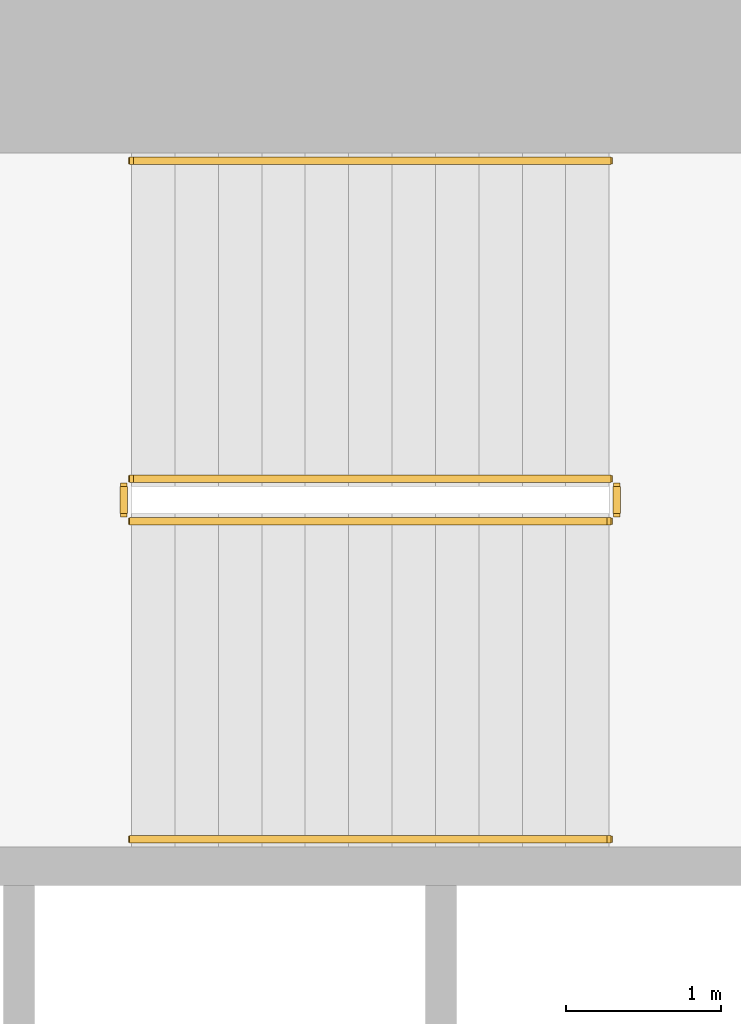
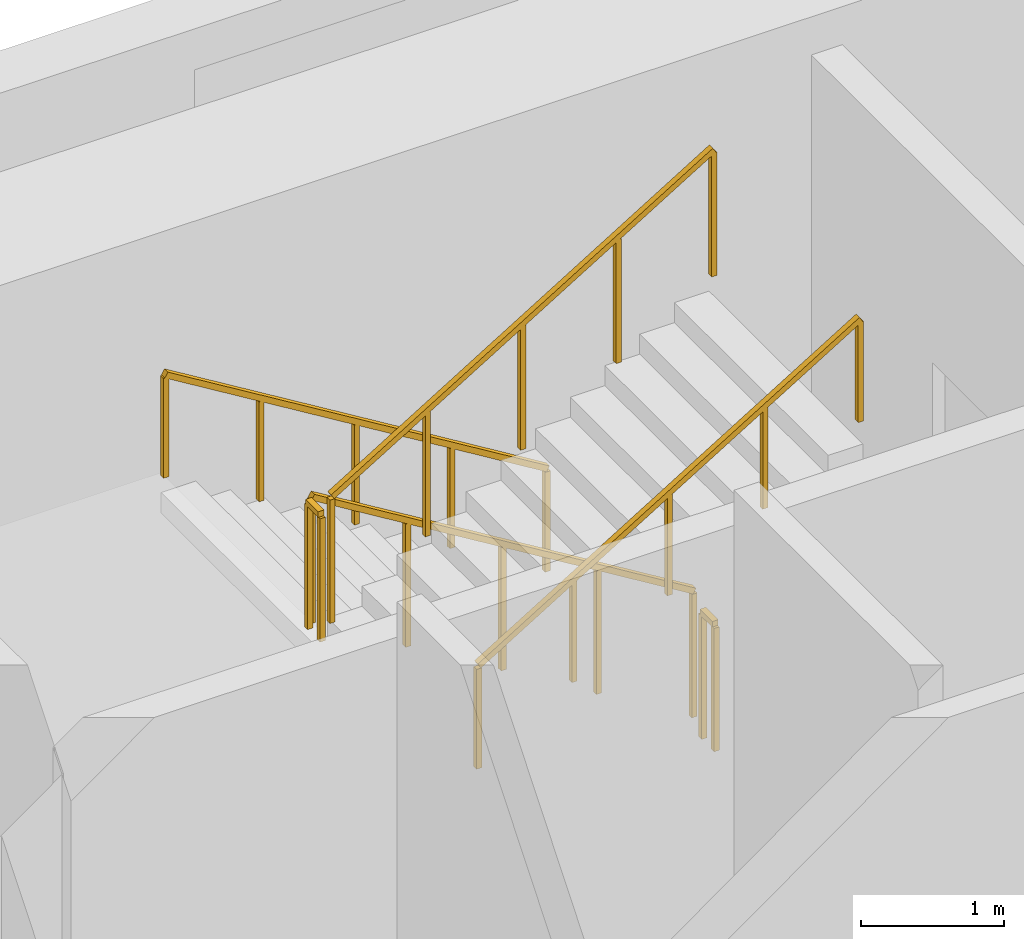
# One storey, part 14 of 15: 6 railings.
"""IFC4 building model written with IfcOpenShell, lengths in metres."""

import ifcopenshell
import ifcopenshell.guid

model = None  # the IFC model being written
_history = None  # IfcOwnerHistory: only IFC2X3 demands one
_inside = {}  # id of a spatial element -> (the spatial element, [elements in it])
_under = {}  # id of a project, library or spatial element -> (it, [spatial elements below it])
_declared = {}  # id of a project -> (the project, [libraries it declares])
_typed = {}  # id of a type object -> (the type object, [elements of that type])
_made_of = {}  # id of a material, layer set ... -> (it, [elements and type objects made of it])


def new_model(schema):
    """Start an empty IFC model of exactly this schema.

    Asked for "IFC4X3", IfcOpenShell would pick the latest addendum, in which some entities
    have other attributes; the version numbers below select the first issue.
    IFC2X3 requires an IfcOwnerHistory on every rooted entity: one is made here for all.
    """
    global model, _history
    if schema == "IFC4X3":
        model = ifcopenshell.file(schema_version=(4, 3, 0, 0))
    else:
        model = ifcopenshell.file(schema=schema)
    _inside.clear()
    _under.clear()
    _declared.clear()
    _typed.clear()
    _made_of.clear()
    _history = None
    if model.schema == "IFC2X3":
        org = make("IfcOrganization", Name="unknown")
        user = make(
            "IfcPersonAndOrganization",
            ThePerson=make("IfcPerson", FamilyName="unknown"),
            TheOrganization=org,
        )
        app = make(
            "IfcApplication",
            ApplicationDeveloper=org,
            Version="unknown",
            ApplicationFullName="unknown",
            ApplicationIdentifier="unknown",
        )
        _history = make(
            "IfcOwnerHistory",
            OwningUser=user,
            OwningApplication=app,
            ChangeAction="ADDED",
            CreationDate=0,
        )
    return model


def make(cls, **values):
    """One entity of the class cls with the attributes given. An attribute that is None is left unset."""
    return model.create_entity(
        cls, **{name: value for name, value in values.items() if value is not None}
    )


def rooted(cls, **values):
    """An entity with a GlobalId (a new one), such as an element, a storey or a relation."""
    return make(cls, GlobalId=ifcopenshell.guid.new(), OwnerHistory=_history, **values)


def si_unit(unit_type, name, prefix=None):
    """IfcSIUnit, for example si_unit("LENGTHUNIT", "METRE", prefix="MILLI")."""
    return make("IfcSIUnit", UnitType=unit_type, Prefix=prefix, Name=name)


def assignment(units):
    """IfcUnitAssignment: the units of a project."""
    return None if units is None else make("IfcUnitAssignment", Units=units)


def point(xyz):
    """IfcCartesianPoint."""
    return None if xyz is None else make("IfcCartesianPoint", Coordinates=xyz)


def direction(xyz):
    """IfcDirection."""
    return None if xyz is None else make("IfcDirection", DirectionRatios=xyz)


def frame(location, z_axis=None, x_axis=None):
    """IfcAxis2Placement3D, a coordinate frame: its origin and axes. An axis left out is left unset."""
    return make(
        "IfcAxis2Placement3D",
        Location=point(location),
        Axis=direction(z_axis),
        RefDirection=direction(x_axis),
    )


def frame_2d(location, x_axis=None):
    """IfcAxis2Placement2D, a coordinate frame in the plane: its origin and x axis."""
    return make(
        "IfcAxis2Placement2D", Location=point(location), RefDirection=direction(x_axis)
    )


def origin():
    """The frame at (0, 0, 0) with its axes left unset."""
    return frame((0.0, 0.0, 0.0))


def origin_2d():
    """The frame at (0, 0) in the plane with its x axis left unset."""
    return frame_2d((0.0, 0.0))


def place(relative_to, where):
    """IfcLocalPlacement: puts the frame where relative to a parent placement (None: the world)."""
    return make(
        "IfcLocalPlacement", PlacementRelTo=relative_to, RelativePlacement=where
    )


def context(
    kind, dimensions, precision=None, world=None, true_north=None, identifier=None
):
    """IfcGeometricRepresentationContext, for example the 3D "Model" context."""
    return make(
        "IfcGeometricRepresentationContext",
        ContextIdentifier=identifier,
        ContextType=kind,
        CoordinateSpaceDimension=dimensions,
        Precision=precision,
        WorldCoordinateSystem=world,
        TrueNorth=true_north,
    )


def subcontext(parent, identifier, kind, view, scale=None):
    """IfcGeometricRepresentationSubContext, for example "Body" below "Model"."""
    return make(
        "IfcGeometricRepresentationSubContext",
        ContextIdentifier=identifier,
        ContextType=kind,
        ParentContext=parent,
        TargetScale=scale,
        TargetView=view,
    )


def project(units=None, contexts=None):
    """IfcProject with its units and contexts."""
    return rooted(
        "IfcProject",
        Name="project",
        RepresentationContexts=contexts,
        UnitsInContext=assignment(units),
    )


def spatial(cls, under=None, at=None, **own):
    """A site, building, storey or space (cls), placed at a placement, below another one or the project."""
    s = rooted(cls, ObjectPlacement=at, **own)
    if under is not None:
        _under.setdefault(under.id(), (under, []))[1].append(s)
    return s


def profile(cls, at=None, kind="AREA", **sizes):
    """A parametric profile (cls). Its sizes go by their IFC names, for example OverallWidth=200.0."""
    return make(cls, ProfileType=kind, Position=at, **sizes)


def rectangle(**sizes):
    """IfcRectangleProfileDef."""
    return profile("IfcRectangleProfileDef", **sizes)


def extrude(swept, where, along, depth):
    """IfcExtrudedAreaSolid: the profile swept, set in the frame where, extruded along a direction by depth."""
    return make(
        "IfcExtrudedAreaSolid",
        SweptArea=swept,
        Position=where,
        ExtrudedDirection=direction(along),
        Depth=depth,
    )


def shape(context_of_items, identifier, shape_type, items):
    """IfcShapeRepresentation: the items that make up one representation, for example the "Body"."""
    return make(
        "IfcShapeRepresentation",
        ContextOfItems=context_of_items,
        RepresentationIdentifier=identifier,
        RepresentationType=shape_type,
        Items=items,
    )


def material(Name=None, Category=None):
    """IfcMaterial."""
    return make("IfcMaterial", Name=Name, Category=Category)


def made_of(thing, what):
    """Note that an element or type object is made of a material, layer set ...; save() writes the relation."""
    if what is not None:
        _made_of.setdefault(what.id(), (what, []))[1].append(thing)
    return thing


def type_object(cls, material=None, **own):
    """A type object (cls), such as IfcWallType, which elements share."""
    return made_of(rooted(cls, **own), material)


def element(
    cls,
    number,
    at=None,
    inside=None,
    cuts=None,
    type_object=None,
    material=None,
    context=None,
    identifier="Body",
    shape_type=None,
    held_by="IfcProductDefinitionShape",
    body=None,
    shapes=None,
    **own,
):
    """One element of the class cls, such as IfcWall. Its Tag is "e" and its number.

    at: its placement. inside: the storey or other place that contains it. cuts: it is an
    opening in that element (IfcRelVoidsElement). A single representation is given by context,
    identifier, shape_type and body (its items); several are given by shapes. held_by: the class
    of the entity that holds the representations. save() writes the other relations.
    """
    e = rooted(cls, Tag="e%d" % number, ObjectPlacement=at, **own)
    if body is not None:
        shapes = [shape(context, identifier, shape_type, body)]
    if shapes is not None:
        e.Representation = make(held_by, Representations=shapes)
    if inside is not None:
        _inside.setdefault(inside.id(), (inside, []))[1].append(e)
    if cuts is not None:
        rooted(
            "IfcRelVoidsElement", RelatingBuildingElement=cuts, RelatedOpeningElement=e
        )
    if type_object is not None:
        _typed.setdefault(type_object.id(), (type_object, []))[1].append(e)
    return made_of(e, material)


def aggregate(whole, parts):
    """IfcRelAggregates: a whole, such as a stair, and the parts it consists of."""
    return rooted("IfcRelAggregates", RelatingObject=whole, RelatedObjects=parts)


def save(model, path):
    """Write the relations noted so far, then the file.

    IfcRelAggregates (storeys below a building ...), IfcRelContainedInSpatialStructure (elements
    in a storey), IfcRelDefinesByType, IfcRelAssociatesMaterial and IfcRelDeclares: one each for
    every whole, place, type object, material and project.
    """
    for whole, parts in _under.values():
        aggregate(whole, parts)
    for where, things in _inside.values():
        rooted(
            "IfcRelContainedInSpatialStructure",
            RelatedElements=things,
            RelatingStructure=where,
        )
    for kind, things in _typed.values():
        rooted("IfcRelDefinesByType", RelatedObjects=things, RelatingType=kind)
    for what, things in _made_of.values():
        rooted("IfcRelAssociatesMaterial", RelatedObjects=things, RelatingMaterial=what)
    for by, libraries in _declared.values():
        rooted("IfcRelDeclares", RelatingContext=by, RelatedDefinitions=libraries)
    model.write(path)


model = new_model("IFC4")

# Units and contexts
model_context = context("Model", 3, precision=1e-05, world=origin(), true_north=direction((0.0, 1.0)))
body_context = subcontext(model_context, "Body", "Model", "MODEL_VIEW")
ifc_project = project(units=[si_unit("LENGTHUNIT", "METRE"), si_unit("AREAUNIT", "SQUARE_METRE"), si_unit("VOLUMEUNIT", "CUBIC_METRE"), si_unit("PLANEANGLEUNIT", "RADIAN"), si_unit("MASSUNIT", "GRAM", prefix="KILO")], contexts=[model_context])

# Site, building, storey
site_placement = place(None, origin())
site = spatial("IfcSite", under=ifc_project, at=site_placement, CompositionType="ELEMENT")
building_placement = place(site_placement, origin())
building = spatial("IfcBuilding", under=site, at=building_placement, Name="Cypress Arch Tower", CompositionType="ELEMENT")
storey_placement = place(building_placement, frame((0.0, 0.0, 313.10009765625)))
storey = spatial("IfcBuildingStorey", under=building, at=storey_placement, Name="L71", CompositionType="ELEMENT", Elevation=313.10009765625)

# Railings
ifc_material_1 = material(Name="Black powder-coated steel square bar 48 mm", Category="steel")
railing_type_1 = type_object("IfcRailingType", Name="Stair handrail HR1", PredefinedType="HANDRAIL", material=ifc_material_1)
railing_1_placement = place(storey_placement, frame((-22.27490234375, 14.75, 0.170654296875)))
element("IfcRailing", 1, at=railing_1_placement, inside=storey, type_object=railing_type_1, Name="L71 B stair handrail 1", PredefinedType="HANDRAIL", context=body_context, shape_type="SweptSolid", body=[
    extrude(rectangle(XDim=0.048095703125, YDim=0.048095703125, at=origin_2d()), frame((0.0, 0.0, 0.8759765625), z_axis=(-0.853666305674, 0.0, 0.52082035152), x_axis=(0.0, -1.0, 0.0)), (0.0, 0.0, 1.0), 3.608154296875),
    extrude(rectangle(XDim=0.0419921875, YDim=0.0419921875, at=origin_2d()), origin(), (0.0, 0.0, 1.0), 0.851806640625),
    extrude(rectangle(XDim=0.0419921875, YDim=0.0419921875, at=origin_2d()), frame((-0.77001953125, 0.0, 0.4697265625)), (0.0, 0.0, 1.0), 0.851806640625),
    extrude(rectangle(XDim=0.0419921875, YDim=0.0419921875, at=origin_2d()), frame((-1.5400390625, 0.0, 0.939453125)), (0.0, 0.0, 1.0), 0.851806640625),
    extrude(rectangle(XDim=0.0419921875, YDim=0.0419921875, at=origin_2d()), frame((-2.31005859375, 0.0, 1.409423828125)), (0.0, 0.0, 1.0), 0.851806640625),
    extrude(rectangle(XDim=0.0419921875, YDim=0.0419921875, at=origin_2d()), frame((-3.080078125, 0.0, 1.879150390625)), (0.0, 0.0, 1.0), 0.851806640625),
])
railing_2_placement = place(storey_placement, frame((-25.35498046875, 10.375, 2.220703125)))
element("IfcRailing", 2, at=railing_2_placement, inside=storey, type_object=railing_type_1, Name="L71 B stair handrail 2", PredefinedType="HANDRAIL", context=body_context, shape_type="SweptSolid", body=[
    extrude(rectangle(XDim=0.048095703125, YDim=0.048095703125, at=origin_2d()), frame((0.0, 0.0, 0.8759765625), z_axis=(0.853666305674, 0.0, 0.52082035152), x_axis=(0.0, 1.0, 0.0)), (0.0, 0.0, 1.0), 3.608154296875),
    extrude(rectangle(XDim=0.0419921875, YDim=0.0419921875, at=origin_2d()), origin(), (0.0, 0.0, 1.0), 0.851806640625),
    extrude(rectangle(XDim=0.0419921875, YDim=0.0419921875, at=origin_2d()), frame((0.77001953125, 0.0, 0.4697265625)), (0.0, 0.0, 1.0), 0.851806640625),
    extrude(rectangle(XDim=0.0419921875, YDim=0.0419921875, at=origin_2d()), frame((1.5400390625, 0.0, 0.939453125)), (0.0, 0.0, 1.0), 0.851806640625),
    extrude(rectangle(XDim=0.0419921875, YDim=0.0419921875, at=origin_2d()), frame((2.31005859375, 0.0, 1.409423828125)), (0.0, 0.0, 1.0), 0.851806640625),
    extrude(rectangle(XDim=0.0419921875, YDim=0.0419921875, at=origin_2d()), frame((3.080078125, 0.0, 1.879150390625)), (0.0, 0.0, 1.0), 0.851806640625),
])
ifc_material_2 = material(Name="Black powder-coated steel balusters", Category="steel")
railing_type_2 = type_object("IfcRailingType", Name="Stair well guard G1", PredefinedType="GUARDRAIL", material=ifc_material_2)
railing_3_placement = place(storey_placement, frame((-22.27490234375, 12.699951171875, 0.170654296875)))
element("IfcRailing", 3, at=railing_3_placement, inside=storey, type_object=railing_type_2, Name="L71 B stair guard 1", PredefinedType="GUARDRAIL", context=body_context, shape_type="SweptSolid", body=[
    extrude(rectangle(XDim=0.048095703125, YDim=0.048095703125, at=origin_2d()), frame((0.0, 0.0, 1.076171875), z_axis=(-0.853666305674, 0.0, 0.52082035152), x_axis=(0.0, -1.0, 0.0)), (0.0, 0.0, 1.0), 3.608154296875),
    extrude(rectangle(XDim=0.0419921875, YDim=0.0419921875, at=origin_2d()), origin(), (0.0, 0.0, 1.0), 1.052001953125),
    extrude(rectangle(XDim=0.0419921875, YDim=0.0419921875, at=origin_2d()), frame((-0.77001953125, 0.0, 0.4697265625)), (0.0, 0.0, 1.0), 1.052001953125),
    extrude(rectangle(XDim=0.0419921875, YDim=0.0419921875, at=origin_2d()), frame((-1.5400390625, 0.0, 0.939453125)), (0.0, 0.0, 1.0), 1.052001953125),
    extrude(rectangle(XDim=0.0419921875, YDim=0.0419921875, at=origin_2d()), frame((-2.31005859375, 0.0, 1.409423828125)), (0.0, 0.0, 1.0), 1.052001953125),
    extrude(rectangle(XDim=0.0419921875, YDim=0.0419921875, at=origin_2d()), frame((-3.080078125, 0.0, 1.879150390625)), (0.0, 0.0, 1.0), 1.052001953125),
])
railing_4_placement = place(storey_placement, frame((-25.405029296875, 12.64990234375, 2.0498046875)))
element("IfcRailing", 4, at=railing_4_placement, inside=storey, type_object=railing_type_2, Name="L71 B stair guard 2", PredefinedType="GUARDRAIL", context=body_context, shape_type="SweptSolid", body=[
    extrude(rectangle(XDim=0.048095703125, YDim=0.048095703125, at=origin_2d()), frame((0.0, 0.0, 1.076171875), z_axis=(0.0, -1.0, 0.0), x_axis=(1.0, 0.0, 0.0)), (0.0, 0.0, 1.0), 0.1748046875),
    extrude(rectangle(XDim=0.0419921875, YDim=0.0419921875, at=origin_2d()), origin(), (0.0, 0.0, 1.0), 1.052001953125),
    extrude(rectangle(XDim=0.0419921875, YDim=0.0419921875, at=origin_2d()), frame((0.0, -0.1748046875, 0.0)), (0.0, 0.0, 1.0), 1.052001953125),
])
railing_5_placement = place(storey_placement, frame((-25.35498046875, 12.425048828125, 2.220703125)))
element("IfcRailing", 5, at=railing_5_placement, inside=storey, type_object=railing_type_2, Name="L71 B stair guard 3", PredefinedType="GUARDRAIL", context=body_context, shape_type="SweptSolid", body=[
    extrude(rectangle(XDim=0.048095703125, YDim=0.048095703125, at=origin_2d()), frame((0.0, 0.0, 1.076171875), z_axis=(0.853666305674, 0.0, 0.52082035152), x_axis=(0.0, 1.0, 0.0)), (0.0, 0.0, 1.0), 3.608154296875),
    extrude(rectangle(XDim=0.0419921875, YDim=0.0419921875, at=origin_2d()), origin(), (0.0, 0.0, 1.0), 1.052001953125),
    extrude(rectangle(XDim=0.0419921875, YDim=0.0419921875, at=origin_2d()), frame((0.77001953125, 0.0, 0.4697265625)), (0.0, 0.0, 1.0), 1.052001953125),
    extrude(rectangle(XDim=0.0419921875, YDim=0.0419921875, at=origin_2d()), frame((1.5400390625, 0.0, 0.939453125)), (0.0, 0.0, 1.0), 1.052001953125),
    extrude(rectangle(XDim=0.0419921875, YDim=0.0419921875, at=origin_2d()), frame((2.31005859375, 0.0, 1.409423828125)), (0.0, 0.0, 1.0), 1.052001953125),
    extrude(rectangle(XDim=0.0419921875, YDim=0.0419921875, at=origin_2d()), frame((3.080078125, 0.0, 1.879150390625)), (0.0, 0.0, 1.0), 1.052001953125),
])
railing_6_placement = place(storey_placement, frame((-22.22509765625, 12.64990234375, 0.0)))
element("IfcRailing", 6, at=railing_6_placement, inside=storey, type_object=railing_type_2, Name="L71 B stair guard 4", PredefinedType="GUARDRAIL", context=body_context, shape_type="SweptSolid", body=[
    extrude(rectangle(XDim=0.048095703125, YDim=0.048095703125, at=origin_2d()), frame((0.0, 0.0, 1.076171875), z_axis=(0.0, -1.0, 0.0), x_axis=(1.0, 0.0, 0.0)), (0.0, 0.0, 1.0), 0.1748046875),
    extrude(rectangle(XDim=0.0419921875, YDim=0.0419921875, at=origin_2d()), origin(), (0.0, 0.0, 1.0), 1.052001953125),
    extrude(rectangle(XDim=0.0419921875, YDim=0.0419921875, at=origin_2d()), frame((0.0, -0.1748046875, 0.0)), (0.0, 0.0, 1.0), 1.052001953125),
])

save(model, "model.ifc")
